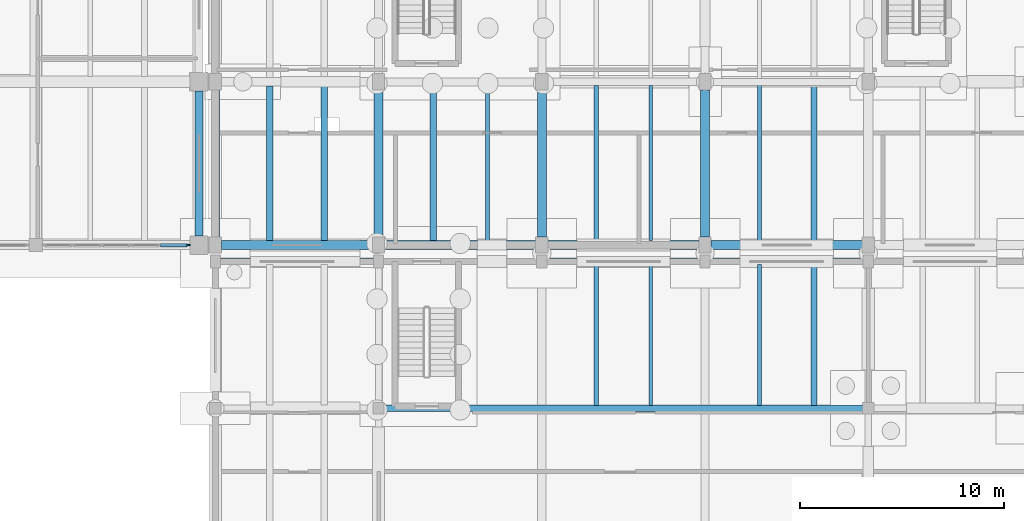
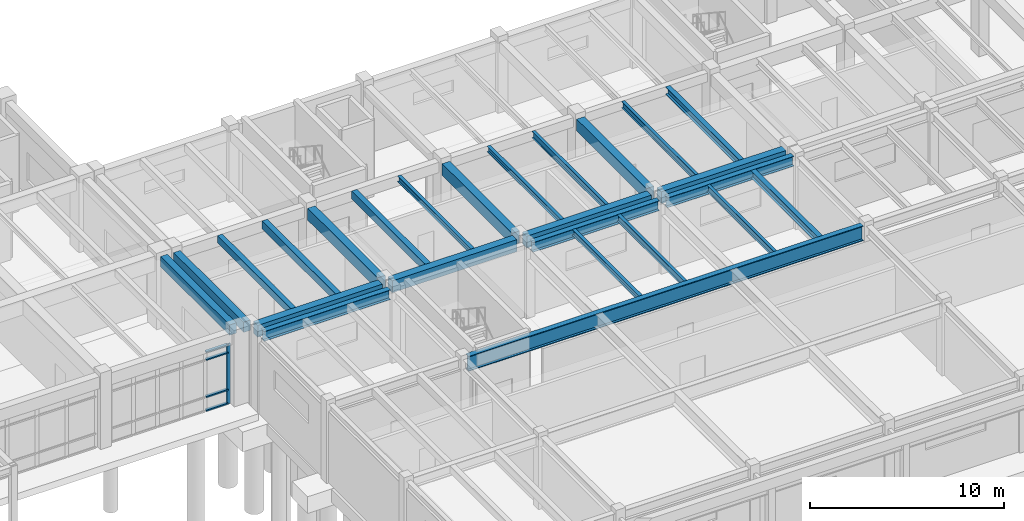
# One storey, part 22 of 64: 25 beams, 5 members, 1 element without a shape of its own.
"""IFC4 building model written with IfcOpenShell, lengths in metres."""

from ifc_helpers import new_model, si_unit, direction, frame, origin, origin_2d, place, context, subcontext, project, spatial, rectangle, i_section, extrude, material, material_profile, profile_set, type_object, element, aggregate, save


model = new_model("IFC4")

# Units and contexts
model_context = context("Model", 3, precision=1e-05, world=origin(), true_north=direction((0.0, 1.0)))
body_context = subcontext(model_context, "Body", "Model", "MODEL_VIEW")
ifc_project = project(units=[si_unit("LENGTHUNIT", "METRE"), si_unit("AREAUNIT", "SQUARE_METRE"), si_unit("VOLUMEUNIT", "CUBIC_METRE"), si_unit("PLANEANGLEUNIT", "RADIAN"), si_unit("MASSUNIT", "GRAM", prefix="KILO")], contexts=[model_context])

# Site, building, storey
site_placement = place(None, origin())
site = spatial("IfcSite", under=ifc_project, at=site_placement, CompositionType="ELEMENT")
building_placement = place(site_placement, origin())
building = spatial("IfcBuilding", under=site, at=building_placement, Name="Tlaxcora Railside Police Headquarters", CompositionType="ELEMENT")
storey_placement = place(building_placement, origin())
storey = spatial("IfcBuildingStorey", under=building, at=storey_placement, Name="L00", CompositionType="ELEMENT", Elevation=0.0)

# Curtain wall, members
ifc_material_1 = material(Name="Thermally broken low-E insulated glazing", Category="glass")
curtain_wall_type = type_object("IfcCurtainWallType", Name="Unitised Curtain Wall Assembly CW-23", PredefinedType="NOTDEFINED", material=ifc_material_1)
curtain_wall_placement = place(storey_placement, origin())
curtain_wall = element("IfcCurtainWall", 1, at=curtain_wall_placement, inside=storey, type_object=curtain_wall_type, Name="V1 L00 curtain wall 4", PredefinedType="NOTDEFINED")
ifc_material_2 = material(Name="Anodised aluminium framing", Category="aluminium")
ifc_material_profile_1 = material_profile(ifc_material_2, rectangle(XDim=0.080078125, YDim=0.219970703125, at=origin_2d()), Name="AL80X220")
ifc_profile_set_1 = profile_set([ifc_material_profile_1], Name="Anodised aluminium framing")
member_type_1 = type_object("IfcMemberType", Name="Curtain Wall Mullion CW-31", PredefinedType="MULLION", material=ifc_profile_set_1)
member_1_placement = place(storey_placement, frame((101.4599609375, 36.0, 0.0), z_axis=(0.0, 0.0, 1.0), x_axis=(0.0, 1.0, 0.0)))
member_1 = element("IfcMember", 2, at=member_1_placement, type_object=member_type_1, Name="CW mullion 6", PredefinedType="MULLION", context=body_context, shape_type="SweptSolid", body=[
    extrude(rectangle(XDim=0.080078125, YDim=0.219970703125, at=origin_2d()), origin(), (0.0, 0.0, 1.0), 3.760009765625),
])
ifc_material_profile_2 = material_profile(ifc_material_2, rectangle(XDim=0.1650390625, YDim=0.080078125, at=origin_2d()), Name="AL80X165")
ifc_profile_set_2 = profile_set([ifc_material_profile_2], Name="Anodised aluminium framing")
member_type_2 = type_object("IfcMemberType", Name="Curtain Wall Transom CW-62", PredefinedType="USERDEFINED", material=ifc_profile_set_2)
member_2_placement = place(storey_placement, frame((100.114990234375, 36.0, 0.0400390625), z_axis=(1.0, 0.0, 0.0), x_axis=(0.0, 1.0, 0.0)))
member_2 = element("IfcMember", 3, at=member_2_placement, type_object=member_type_2, Name="CW transom 5.1", ObjectType="TRANSOM", PredefinedType="USERDEFINED", context=body_context, shape_type="SweptSolid", body=[
    extrude(rectangle(XDim=0.1650390625, YDim=0.080078125, at=origin_2d()), origin(), (0.0, 0.0, 1.0), 1.304931640625),
])
member_3_placement = place(storey_placement, frame((100.114990234375, 36.0, 0.89990234375), z_axis=(1.0, 0.0, 0.0), x_axis=(0.0, 1.0, 0.0)))
member_3 = element("IfcMember", 4, at=member_3_placement, type_object=member_type_2, Name="CW transom 5.2", ObjectType="TRANSOM", PredefinedType="USERDEFINED", context=body_context, shape_type="SweptSolid", body=[
    extrude(rectangle(XDim=0.1650390625, YDim=0.080078125, at=origin_2d()), origin(), (0.0, 0.0, 1.0), 1.304931640625),
])
member_4_placement = place(storey_placement, frame((100.114990234375, 36.0, 3.22998046875), z_axis=(1.0, 0.0, 0.0), x_axis=(0.0, 1.0, 0.0)))
member_4 = element("IfcMember", 5, at=member_4_placement, type_object=member_type_2, Name="CW transom 5.3", ObjectType="TRANSOM", PredefinedType="USERDEFINED", context=body_context, shape_type="SweptSolid", body=[
    extrude(rectangle(XDim=0.1650390625, YDim=0.080078125, at=origin_2d()), origin(), (0.0, 0.0, 1.0), 1.304931640625),
])
member_5_placement = place(storey_placement, frame((100.114990234375, 36.0, 3.719970703125), z_axis=(1.0, 0.0, 0.0), x_axis=(0.0, 1.0, 0.0)))
member_5 = element("IfcMember", 6, at=member_5_placement, type_object=member_type_2, Name="CW transom 5.4", ObjectType="TRANSOM", PredefinedType="USERDEFINED", context=body_context, shape_type="SweptSolid", body=[
    extrude(rectangle(XDim=0.1650390625, YDim=0.080078125, at=origin_2d()), origin(), (0.0, 0.0, 1.0), 1.304931640625),
])
aggregate(curtain_wall, [member_1, member_2, member_3, member_4, member_5])

# Beams
ifc_material_3 = material(Name="Concrete C40/50", Category="concrete")
ifc_material_profile_3 = material_profile(ifc_material_3, rectangle(XDim=0.39990234375, YDim=0.64990234375, at=origin_2d()), Name="RC400X650")
ifc_profile_set_3 = profile_set([ifc_material_profile_3], Name="Concrete C40/50")
beam_type_1 = type_object("IfcBeamType", Name="Perimeter Spandrel Beam BM-46", PredefinedType="SPANDREL", material=ifc_profile_set_3)
beam_1_placement = place(storey_placement, frame((102.0, 36.43994140625, 4.205078125), z_axis=(0.0, 1.0, 0.0), x_axis=(-1.0, 0.0, 0.0)))
element("IfcBeam", 7, at=beam_1_placement, inside=storey, type_object=beam_type_1, Name="V1 L00 Y-girder X=102.0", PredefinedType="SPANDREL", context=body_context, shape_type="SweptSolid", body=[
    extrude(rectangle(XDim=0.39990234375, YDim=0.64990234375, at=origin_2d()), origin(), (0.0, 0.0, 1.0), 7.1201171875),
])
beam_2_placement = place(storey_placement, frame((102.800048828125, 36.389892578125, 4.135009765625), z_axis=(0.0, 1.0, 0.0), x_axis=(-1.0, 0.0, 0.0)))
element("IfcBeam", 8, at=beam_2_placement, inside=storey, type_object=beam_type_1, Name="V7 L00 Y-girder X=102.8", PredefinedType="SPANDREL", context=body_context, shape_type="SweptSolid", body=[
    extrude(rectangle(XDim=0.39990234375, YDim=0.64990234375, at=origin_2d()), origin(), (0.0, 0.0, 1.0), 7.22021484375),
])
ifc_material_4 = material(Name="Steel ASTM A992 Grade 50", Category="steel")
ifc_material_profile_4 = material_profile(ifc_material_4, i_section(OverallWidth=0.324951171875, OverallDepth=0.616943359375, WebThickness=0.013916015625, FlangeThickness=0.021484375, at=origin_2d()), Name="W24X117")
ifc_profile_set_4 = profile_set([ifc_material_profile_4], Name="Steel ASTM A992 Grade 50")
beam_type_2 = type_object("IfcBeamType", Name="Perimeter Spandrel Beam BM-60", PredefinedType="SPANDREL", material=ifc_profile_set_4)
for number, where, z_axis, x_axis, name in (
    (9, (103.0400390625, 35.199951171875, 4.221435546875), (1.0, 0.0, 0.0), (0.0, 1.0, 0.0), "V3 L00 X-girder Y=35.2"),
    (10, (119.0400390625, 35.199951171875, 4.221435546875), (1.0, 0.0, 0.0), (0.0, 1.0, 0.0), "V3 L00 X-girder Y=35.2"),
    (11, (127.0400390625, 35.199951171875, 4.221435546875), (1.0, 0.0, 0.0), (0.0, 1.0, 0.0), "V3 L00 X-girder Y=35.2"),
):
    element("IfcBeam", number, at=place(storey_placement, frame(where, z_axis=z_axis, x_axis=x_axis)), inside=storey, type_object=beam_type_2, Name=name, PredefinedType="SPANDREL", context=body_context, shape_type="SweptSolid", body=[
        extrude(i_section(OverallWidth=0.324951171875, OverallDepth=0.616943359375, WebThickness=0.013916015625, FlangeThickness=0.021484375, at=origin_2d()), origin(), (0.0, 0.0, 1.0), 7.52001953125),
    ])
ifc_material_profile_5 = material_profile(ifc_material_3, rectangle(XDim=0.449951171875, YDim=0.75, at=origin_2d()), Name="RC450X750")
ifc_profile_set_5 = profile_set([ifc_material_profile_5], Name="Concrete C40/50")
beam_type_3 = type_object("IfcBeamType", Name="Perimeter Spandrel Beam BM-86", PredefinedType="SPANDREL", material=ifc_profile_set_5)
for number, where, z_axis, x_axis, name in (
    (12, (103.090087890625, 36.0, 4.0849609375), (1.0, 0.0, 0.0), (0.0, 1.0, 0.0), "V7 L00 X-girder Y=36.0"),
    (13, (111.090087890625, 36.0, 4.0849609375), (1.0, 0.0, 0.0), (0.0, 1.0, 0.0), "V7 L00 X-girder Y=36.0"),
    (14, (119.090087890625, 36.0, 4.0849609375), (1.0, 0.0, 0.0), (0.0, 1.0, 0.0), "V7 L00 X-girder Y=36.0"),
    (15, (127.090087890625, 36.0, 4.0849609375), (1.0, 0.0, 0.0), (0.0, 1.0, 0.0), "V7 L00 X-girder Y=36.0"),
):
    element("IfcBeam", number, at=place(storey_placement, frame(where, z_axis=z_axis, x_axis=x_axis)), inside=storey, type_object=beam_type_3, Name=name, PredefinedType="SPANDREL", context=body_context, shape_type="SweptSolid", body=[
        extrude(rectangle(XDim=0.449951171875, YDim=0.75, at=origin_2d()), origin(), (0.0, 0.0, 1.0), 7.419921875),
    ])
ifc_material_profile_6 = material_profile(ifc_material_4, i_section(OverallWidth=0.31005859375, OverallDepth=0.949951171875, WebThickness=0.0244140625, FlangeThickness=0.0439453125, at=origin_2d()), Name="W36X256")
ifc_profile_set_6 = profile_set([ifc_material_profile_6], Name="Steel ASTM A992 Grade 50")
beam_type_4 = type_object("IfcBeamType", Name="Primary Frame Girder BM-48", PredefinedType="BEAM", material=ifc_profile_set_6)
beam_3_placement = place(storey_placement, frame((111.06494140625, 28.0, 4.054931640625), z_axis=(1.0, 0.0, 0.0), x_axis=(0.0, 1.0, 0.0)))
element("IfcBeam", 16, at=beam_3_placement, inside=storey, type_object=beam_type_4, Name="V3 L00 X-girder Y=28.0", PredefinedType="BEAM", context=body_context, shape_type="SweptSolid", body=[
    extrude(i_section(OverallWidth=0.31005859375, OverallDepth=0.949951171875, WebThickness=0.0244140625, FlangeThickness=0.0439453125, at=origin_2d()), origin(), (0.0, 0.0, 1.0), 23.469970703125),
])
ifc_material_profile_7 = material_profile(ifc_material_3, rectangle(XDim=0.449951171875, YDim=0.75, at=origin_2d()), Name="RC450X750")
ifc_profile_set_7 = profile_set([ifc_material_profile_7], Name="Concrete C40/50")
beam_type_5 = type_object("IfcBeamType", Name="Primary Frame Girder BM-73", PredefinedType="BEAM", material=ifc_profile_set_7)
for number, where, z_axis, x_axis, name in (
    (17, (110.800048828125, 36.389892578125, 4.0849609375), (0.0, 1.0, 0.0), (-1.0, 0.0, 0.0), "V7 L00 Y-girder X=110.8"),
    (18, (118.800048828125, 36.389892578125, 4.0849609375), (0.0, 1.0, 0.0), (-1.0, 0.0, 0.0), "V7 L00 Y-girder X=118.8"),
    (19, (126.800048828125, 36.389892578125, 4.0849609375), (0.0, 1.0, 0.0), (-1.0, 0.0, 0.0), "V7 L00 Y-girder X=126.8"),
):
    element("IfcBeam", number, at=place(storey_placement, frame(where, z_axis=z_axis, x_axis=x_axis)), inside=storey, type_object=beam_type_5, Name=name, PredefinedType="BEAM", context=body_context, shape_type="SweptSolid", body=[
        extrude(rectangle(XDim=0.449951171875, YDim=0.75, at=origin_2d()), origin(), (0.0, 0.0, 1.0), 7.22021484375),
    ])
ifc_material_5 = material(Name="Concrete C35/45", Category="concrete")
ifc_material_profile_8 = material_profile(ifc_material_5, rectangle(XDim=0.300048828125, YDim=0.449951171875, at=origin_2d()), Name="RC300X450")
ifc_profile_set_8 = profile_set([ifc_material_profile_8], Name="Concrete C35/45")
beam_type_6 = type_object("IfcBeamType", Name="Secondary Floor Joist BM-27", PredefinedType="JOIST", material=ifc_profile_set_8)
beam_4_placement = place(storey_placement, frame((105.466796875, 36.217041015625, 4.235107421875), z_axis=(0.0, 1.0, 0.0), x_axis=(-1.0, 0.0, 0.0)))
element("IfcBeam", 20, at=beam_4_placement, inside=storey, type_object=beam_type_6, Name="V7 L00 floor joist X=105.47", PredefinedType="JOIST", context=body_context, shape_type="SweptSolid", body=[
    extrude(rectangle(XDim=0.300048828125, YDim=0.449951171875, at=origin_2d()), origin(), (0.0, 0.0, 1.0), 7.5810546875),
])
ifc_material_profile_9 = material_profile(ifc_material_4, i_section(OverallWidth=0.280029296875, OverallDepth=0.4619140625, WebThickness=0.0107421875, FlangeThickness=0.017333984375, at=origin_2d()), Name="W18X76")
ifc_profile_set_9 = profile_set([ifc_material_profile_9], Name="Steel ASTM A992 Grade 50")
beam_type_7 = type_object("IfcBeamType", Name="Secondary Floor Joist BM-44", PredefinedType="JOIST", material=ifc_profile_set_9)
beam_5_placement = place(storey_placement, frame((132.13330078125, 28.14697265625, 4.299072265625), z_axis=(0.0, 1.0, 0.0), x_axis=(-1.0, 0.0, 0.0)))
element("IfcBeam", 21, at=beam_5_placement, inside=storey, type_object=beam_type_7, Name="V3 L00 floor joist X=132.13", PredefinedType="JOIST", context=body_context, shape_type="SweptSolid", body=[
    extrude(i_section(OverallWidth=0.280029296875, OverallDepth=0.4619140625, WebThickness=0.0107421875, FlangeThickness=0.017333984375, at=origin_2d()), origin(), (0.0, 0.0, 1.0), 6.8984375),
])
beam_6_placement = place(storey_placement, frame((132.13330078125, 36.217041015625, 4.22900390625), z_axis=(0.0, 1.0, 0.0), x_axis=(-1.0, 0.0, 0.0)))
element("IfcBeam", 22, at=beam_6_placement, inside=storey, type_object=beam_type_7, Name="V7 L00 floor joist X=132.13", PredefinedType="JOIST", context=body_context, shape_type="SweptSolid", body=[
    extrude(i_section(OverallWidth=0.280029296875, OverallDepth=0.4619140625, WebThickness=0.0107421875, FlangeThickness=0.017333984375, at=origin_2d()), origin(), (0.0, 0.0, 1.0), 7.615966796875),
])
ifc_material_profile_10 = material_profile(ifc_material_4, i_section(OverallWidth=0.2041015625, OverallDepth=0.35009765625, WebThickness=0.008544921875, FlangeThickness=0.01513671875, at=origin_2d()), Name="W14X48")
ifc_profile_set_10 = profile_set([ifc_material_profile_10], Name="Steel ASTM A992 Grade 50")
beam_type_8 = type_object("IfcBeamType", Name="Secondary Floor Joist BM-65", PredefinedType="JOIST", material=ifc_profile_set_10)
beam_7_placement = place(storey_placement, frame((121.466796875, 28.14697265625, 4.35498046875), z_axis=(0.0, 1.0, 0.0), x_axis=(-1.0, 0.0, 0.0)))
element("IfcBeam", 23, at=beam_7_placement, inside=storey, type_object=beam_type_8, Name="V3 L00 floor joist X=121.47", PredefinedType="JOIST", context=body_context, shape_type="SweptSolid", body=[
    extrude(i_section(OverallWidth=0.2041015625, OverallDepth=0.35009765625, WebThickness=0.008544921875, FlangeThickness=0.01513671875, at=origin_2d()), origin(), (0.0, 0.0, 1.0), 6.8984375),
])
beam_8_placement = place(storey_placement, frame((116.13330078125, 36.217041015625, 4.284912109375), z_axis=(0.0, 1.0, 0.0), x_axis=(-1.0, 0.0, 0.0)))
element("IfcBeam", 24, at=beam_8_placement, inside=storey, type_object=beam_type_8, Name="V7 L00 floor joist X=116.13", PredefinedType="JOIST", context=body_context, shape_type="SweptSolid", body=[
    extrude(i_section(OverallWidth=0.2041015625, OverallDepth=0.35009765625, WebThickness=0.008544921875, FlangeThickness=0.01513671875, at=origin_2d()), origin(), (0.0, 0.0, 1.0), 7.591064453125),
])
beam_9_placement = place(storey_placement, frame((121.466796875, 36.217041015625, 4.284912109375), z_axis=(0.0, 1.0, 0.0), x_axis=(-1.0, 0.0, 0.0)))
element("IfcBeam", 25, at=beam_9_placement, inside=storey, type_object=beam_type_8, Name="V7 L00 floor joist X=121.47", PredefinedType="JOIST", context=body_context, shape_type="SweptSolid", body=[
    extrude(i_section(OverallWidth=0.2041015625, OverallDepth=0.35009765625, WebThickness=0.008544921875, FlangeThickness=0.01513671875, at=origin_2d()), origin(), (0.0, 0.0, 1.0), 7.60107421875),
])
ifc_material_profile_11 = material_profile(ifc_material_4, i_section(OverallWidth=0.180908203125, OverallDepth=0.4169921875, WebThickness=0.010009765625, FlangeThickness=0.018310546875, at=origin_2d()), Name="W16X57")
ifc_profile_set_11 = profile_set([ifc_material_profile_11], Name="Steel ASTM A992 Grade 50")
beam_type_9 = type_object("IfcBeamType", Name="Secondary Floor Joist BM-84", PredefinedType="JOIST", material=ifc_profile_set_11)
for number, where, z_axis, x_axis, name in (
    (26, (124.13330078125, 28.14697265625, 4.321533203125), (0.0, 1.0, 0.0), (-1.0, 0.0, 0.0), "V3 L00 floor joist X=124.13"),
    (27, (129.466796875, 28.14697265625, 4.321533203125), (0.0, 1.0, 0.0), (-1.0, 0.0, 0.0), "V3 L00 floor joist X=129.47"),
):
    element("IfcBeam", number, at=place(storey_placement, frame(where, z_axis=z_axis, x_axis=x_axis)), inside=storey, type_object=beam_type_9, Name=name, PredefinedType="JOIST", context=body_context, shape_type="SweptSolid", body=[
        extrude(i_section(OverallWidth=0.180908203125, OverallDepth=0.4169921875, WebThickness=0.010009765625, FlangeThickness=0.018310546875, at=origin_2d()), origin(), (0.0, 0.0, 1.0), 6.8984375),
    ])
beam_10_placement = place(storey_placement, frame((124.13330078125, 36.217041015625, 4.25146484375), z_axis=(0.0, 1.0, 0.0), x_axis=(-1.0, 0.0, 0.0)))
element("IfcBeam", 28, at=beam_10_placement, inside=storey, type_object=beam_type_9, Name="V7 L00 floor joist X=124.13", PredefinedType="JOIST", context=body_context, shape_type="SweptSolid", body=[
    extrude(i_section(OverallWidth=0.180908203125, OverallDepth=0.4169921875, WebThickness=0.010009765625, FlangeThickness=0.018310546875, at=origin_2d()), origin(), (0.0, 0.0, 1.0), 7.60107421875),
])
beam_11_placement = place(storey_placement, frame((129.466796875, 36.217041015625, 4.25146484375), z_axis=(0.0, 1.0, 0.0), x_axis=(-1.0, 0.0, 0.0)))
element("IfcBeam", 29, at=beam_11_placement, inside=storey, type_object=beam_type_9, Name="V7 L00 floor joist X=129.47", PredefinedType="JOIST", context=body_context, shape_type="SweptSolid", body=[
    extrude(i_section(OverallWidth=0.180908203125, OverallDepth=0.4169921875, WebThickness=0.010009765625, FlangeThickness=0.018310546875, at=origin_2d()), origin(), (0.0, 0.0, 1.0), 7.615966796875),
])
ifc_material_profile_12 = material_profile(ifc_material_5, rectangle(XDim=0.320068359375, YDim=0.5, at=origin_2d()), Name="RC320X500")
ifc_profile_set_12 = profile_set([ifc_material_profile_12], Name="Concrete C35/45")
beam_type_10 = type_object("IfcBeamType", Name="Secondary Floor Joist BM-88", PredefinedType="JOIST", material=ifc_profile_set_12)
beam_12_placement = place(storey_placement, frame((108.13330078125, 36.217041015625, 4.2099609375), z_axis=(0.0, 1.0, 0.0), x_axis=(-1.0, 0.0, 0.0)))
element("IfcBeam", 30, at=beam_12_placement, inside=storey, type_object=beam_type_10, Name="V7 L00 floor joist X=108.13", PredefinedType="JOIST", context=body_context, shape_type="SweptSolid", body=[
    extrude(rectangle(XDim=0.320068359375, YDim=0.5, at=origin_2d()), origin(), (0.0, 0.0, 1.0), 7.5810546875),
])
beam_13_placement = place(storey_placement, frame((113.466796875, 36.217041015625, 4.2099609375), z_axis=(0.0, 1.0, 0.0), x_axis=(-1.0, 0.0, 0.0)))
element("IfcBeam", 31, at=beam_13_placement, inside=storey, type_object=beam_type_10, Name="V7 L00 floor joist X=113.47", PredefinedType="JOIST", context=body_context, shape_type="SweptSolid", body=[
    extrude(rectangle(XDim=0.320068359375, YDim=0.5, at=origin_2d()), origin(), (0.0, 0.0, 1.0), 7.591064453125),
])

save(model, "model.ifc")
